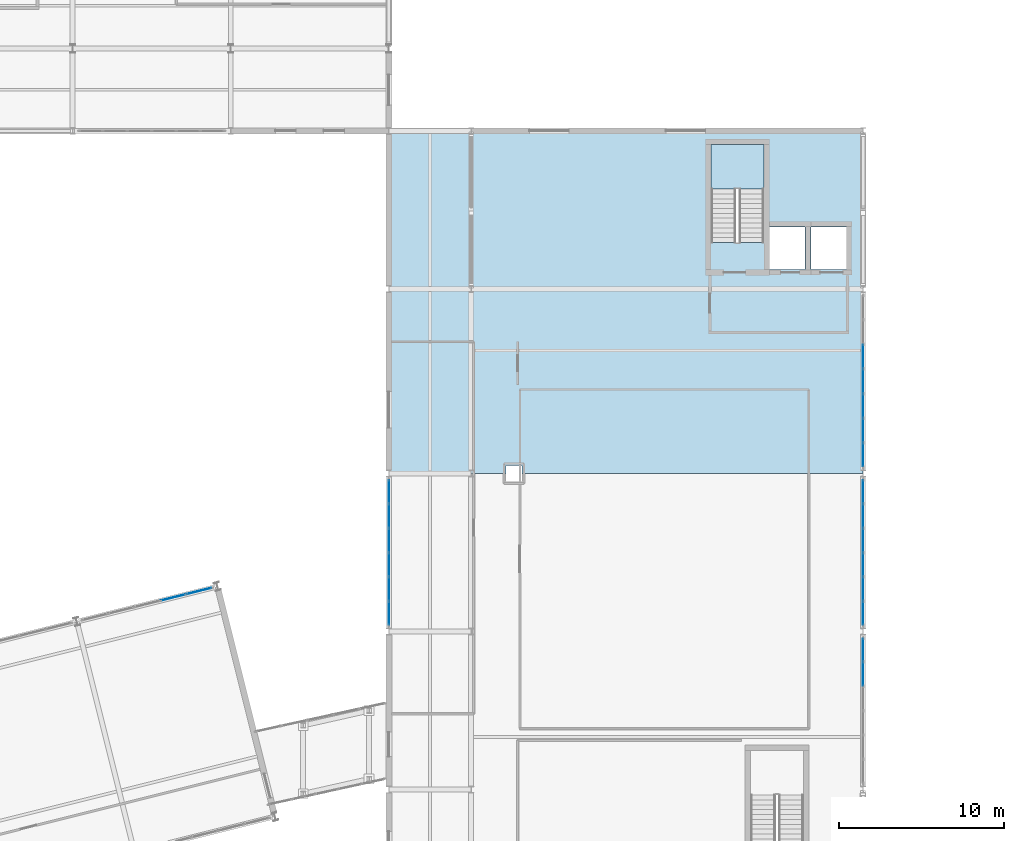
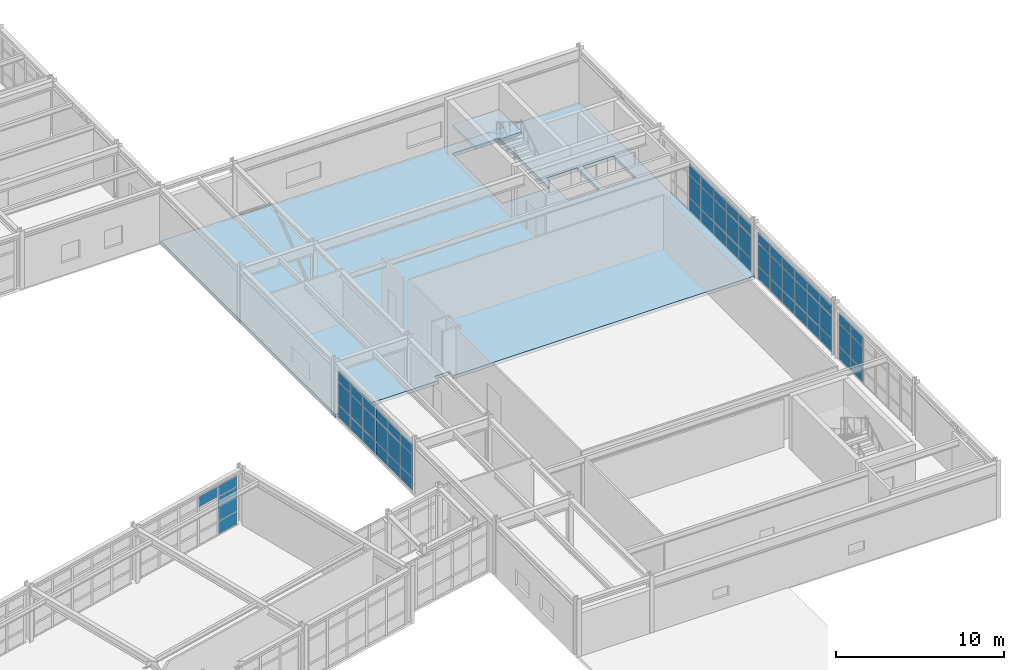
# One storey, part 60 of 88: 61 plates, 2 slabs, 6 elements without a shape of their own.
"""IFC4 building model written with IfcOpenShell, lengths in metres."""

from ifc_helpers import new_model, si_unit, direction, frame, origin, origin_2d, place, context, subcontext, project, spatial, polyline, rectangle, outline, extrude, material, layer, layer_set, type_object, element, aggregate, save


model = new_model("IFC4")

# Units and contexts
model_context = context("Model", 3, precision=1e-05, world=origin(), true_north=direction((0.0, 1.0)))
body_context = subcontext(model_context, "Body", "Model", "MODEL_VIEW")
ifc_project = project(units=[si_unit("LENGTHUNIT", "METRE"), si_unit("AREAUNIT", "SQUARE_METRE"), si_unit("VOLUMEUNIT", "CUBIC_METRE"), si_unit("PLANEANGLEUNIT", "RADIAN"), si_unit("MASSUNIT", "GRAM", prefix="KILO")], contexts=[model_context])

# Site, building, storey
site_placement = place(None, origin())
site = spatial("IfcSite", under=ifc_project, at=site_placement, CompositionType="ELEMENT")
building_placement = place(site_placement, origin())
building = spatial("IfcBuilding", under=site, at=building_placement, Name="Nordkorset Police Headquarters", CompositionType="ELEMENT")
storey_placement = place(building_placement, frame((0.0, 0.0, 9.449951171875)))
storey = spatial("IfcBuildingStorey", under=building, at=storey_placement, Name="L02", CompositionType="ELEMENT", Elevation=9.449951171875)

# Curtain wall, plates
ifc_material_1 = material(Name="Aluminium alloy AW-6060", Category="aluminium")
ifc_layer_1 = layer(ifc_material_1, 0.179931640625, Name="Aluminium alloy AW-6060")
ifc_layer_set_1 = layer_set([ifc_layer_1], Name="Aluminium alloy AW-6060")
curtain_wall_type_1 = type_object("IfcCurtainWallType", Name="CW_Unit_816x364", PredefinedType="USERDEFINED", material=ifc_layer_set_1)
curtain_wall_1_placement = place(storey_placement, origin())
curtain_wall_1 = element("IfcCurtainWall", 1, at=curtain_wall_1_placement, inside=storey, type_object=curtain_wall_type_1, Name="Unitised Curtain Wall L02 V4N-5", ObjectType="UNITISED CURTAIN WALL", PredefinedType="USERDEFINED")
ifc_material_2 = material(Name="Low-iron triple glazing", Category="glass")
ifc_layer_2 = layer(ifc_material_2, 0.035888671875, Name="Low-iron triple glazing")
ifc_layer_set_2 = layer_set([ifc_layer_2], Name="Low-iron triple glazing")
plate_type = type_object("IfcPlateType", Name="CW_Panel_TripleGlazing_36", PredefinedType="CURTAIN_PANEL", material=ifc_layer_set_2)
plate_1_placement = place(storey_placement, frame((73.30224609375, 69.268798828125, 2.822509765625), z_axis=(0.0, 0.0, 1.0), x_axis=(0.970142500145, 0.242535625038, 0.0)))
plate_1 = element("IfcPlate", 2, at=plate_1_placement, type_object=plate_type, Name="CW-64 panel 4.3", PredefinedType="CURTAIN_PANEL", context=body_context, shape_type="SweptSolid", body=[
    extrude(rectangle(XDim=1.56689453125, YDim=0.035888671875, at=origin_2d()), origin(), (0.0, 0.0, 1.0), 0.75244140625),
])
plate_2_placement = place(storey_placement, frame((74.869873046875, 69.66064453125, 0.06494140625), z_axis=(0.0, 0.0, 1.0), x_axis=(0.970142500145, 0.242535625038, 0.0)))
plate_2 = element("IfcPlate", 3, at=plate_2_placement, type_object=plate_type, Name="CW-64 panel 5.1", PredefinedType="CURTAIN_PANEL", context=body_context, shape_type="SweptSolid", body=[
    extrude(rectangle(XDim=1.534423828125, YDim=0.035888671875, at=origin_2d()), origin(), (0.0, 0.0, 1.0), 0.902587890625),
])
plate_3_placement = place(storey_placement, frame((74.869873046875, 69.66064453125, 1.032470703125), z_axis=(0.0, 0.0, 1.0), x_axis=(0.970142500145, 0.242535625038, 0.0)))
plate_3 = element("IfcPlate", 4, at=plate_3_placement, type_object=plate_type, Name="CW-64 panel 5.2", PredefinedType="CURTAIN_PANEL", context=body_context, shape_type="SweptSolid", body=[
    extrude(rectangle(XDim=1.534423828125, YDim=0.035888671875, at=origin_2d()), origin(), (0.0, 0.0, 1.0), 1.72509765625),
])
plate_4_placement = place(storey_placement, frame((74.869873046875, 69.66064453125, 2.822509765625), z_axis=(0.0, 0.0, 1.0), x_axis=(0.970142500145, 0.242535625038, 0.0)))
plate_4 = element("IfcPlate", 5, at=plate_4_placement, type_object=plate_type, Name="CW-64 panel 5.3", PredefinedType="CURTAIN_PANEL", context=body_context, shape_type="SweptSolid", body=[
    extrude(rectangle(XDim=1.534423828125, YDim=0.035888671875, at=origin_2d()), origin(), (0.0, 0.0, 1.0), 0.75244140625),
])
aggregate(curtain_wall_1, [plate_1, plate_2, plate_3, plate_4])

ifc_material_3 = material(Name="Aluminium alloy AW-6060", Category="aluminium")
ifc_layer_3 = layer(ifc_material_3, 0.179931640625, Name="Aluminium alloy AW-6060")
ifc_layer_set_3 = layer_set([ifc_layer_3], Name="Aluminium alloy AW-6060")
curtain_wall_type_2 = type_object("IfcCurtainWallType", Name="CW_Unit_888x351", PredefinedType="USERDEFINED", material=ifc_layer_set_3)
curtain_wall_2_placement = place(storey_placement, origin())
curtain_wall_2 = element("IfcCurtainWall", 6, at=curtain_wall_2_placement, inside=storey, type_object=curtain_wall_type_2, Name="Unitised Curtain Wall L02 V5E-1", ObjectType="UNITISED CURTAIN WALL", PredefinedType="USERDEFINED")
plate_5_placement = place(storey_placement, frame((115.199951171875, 64.6201171875, 0.06494140625), z_axis=(0.0, 0.0, 1.0), x_axis=(0.0, 1.0, 0.0)))
plate_5 = element("IfcPlate", 7, at=plate_5_placement, type_object=plate_type, Name="CW-58 panel 5.1", PredefinedType="CURTAIN_PANEL", context=body_context, shape_type="SweptSolid", body=[
    extrude(rectangle(XDim=1.4150390625, YDim=0.035888671875, at=origin_2d()), origin(), (0.0, 0.0, 1.0), 0.902587890625),
])
plate_6_placement = place(storey_placement, frame((115.199951171875, 64.6201171875, 1.03271484375), z_axis=(0.0, 0.0, 1.0), x_axis=(0.0, 1.0, 0.0)))
plate_6 = element("IfcPlate", 8, at=plate_6_placement, type_object=plate_type, Name="CW-58 panel 5.2", PredefinedType="CURTAIN_PANEL", context=body_context, shape_type="SweptSolid", body=[
    extrude(rectangle(XDim=1.4150390625, YDim=0.035888671875, at=origin_2d()), origin(), (0.0, 0.0, 1.0), 1.594970703125),
])
plate_7_placement = place(storey_placement, frame((115.199951171875, 64.6201171875, 2.692626953125), z_axis=(0.0, 0.0, 1.0), x_axis=(0.0, 1.0, 0.0)))
plate_7 = element("IfcPlate", 9, at=plate_7_placement, type_object=plate_type, Name="CW-58 panel 5.3", PredefinedType="CURTAIN_PANEL", context=body_context, shape_type="SweptSolid", body=[
    extrude(rectangle(XDim=1.4150390625, YDim=0.035888671875, at=origin_2d()), origin(), (0.0, 0.0, 1.0), 0.75244140625),
])
plate_8_placement = place(storey_placement, frame((115.199951171875, 66.083740234375, 0.06494140625), z_axis=(0.0, 0.0, 1.0), x_axis=(0.0, 1.0, 0.0)))
plate_8 = element("IfcPlate", 10, at=plate_8_placement, type_object=plate_type, Name="CW-58 panel 6.1", PredefinedType="CURTAIN_PANEL", context=body_context, shape_type="SweptSolid", body=[
    extrude(rectangle(XDim=1.382568359375, YDim=0.035888671875, at=origin_2d()), origin(), (0.0, 0.0, 1.0), 0.902587890625),
])
plate_9_placement = place(storey_placement, frame((115.199951171875, 66.083740234375, 1.03271484375), z_axis=(0.0, 0.0, 1.0), x_axis=(0.0, 1.0, 0.0)))
plate_9 = element("IfcPlate", 11, at=plate_9_placement, type_object=plate_type, Name="CW-58 panel 6.2", PredefinedType="CURTAIN_PANEL", context=body_context, shape_type="SweptSolid", body=[
    extrude(rectangle(XDim=1.382568359375, YDim=0.035888671875, at=origin_2d()), origin(), (0.0, 0.0, 1.0), 1.594970703125),
])
plate_10_placement = place(storey_placement, frame((115.199951171875, 66.083740234375, 2.692626953125), z_axis=(0.0, 0.0, 1.0), x_axis=(0.0, 1.0, 0.0)))
plate_10 = element("IfcPlate", 12, at=plate_10_placement, type_object=plate_type, Name="CW-58 panel 6.3", PredefinedType="CURTAIN_PANEL", context=body_context, shape_type="SweptSolid", body=[
    extrude(rectangle(XDim=1.382568359375, YDim=0.035888671875, at=origin_2d()), origin(), (0.0, 0.0, 1.0), 0.75244140625),
])
aggregate(curtain_wall_2, [plate_5, plate_6, plate_7, plate_8, plate_9, plate_10])

curtain_wall_3_placement = place(storey_placement, origin())
curtain_wall_3 = element("IfcCurtainWall", 13, at=curtain_wall_3_placement, inside=storey, type_object=curtain_wall_type_2, Name="Unitised Curtain Wall L02 V5E-2", ObjectType="UNITISED CURTAIN WALL", PredefinedType="USERDEFINED")
plate_11_placement = place(storey_placement, frame((115.199951171875, 68.316162109375, 0.06494140625), z_axis=(0.0, 0.0, 1.0), x_axis=(0.0, 1.0, 0.0)))
plate_11 = element("IfcPlate", 14, at=plate_11_placement, type_object=plate_type, Name="CW-58 panel 1.1", PredefinedType="CURTAIN_PANEL", context=body_context, shape_type="SweptSolid", body=[
    extrude(rectangle(XDim=1.382568359375, YDim=0.035888671875, at=origin_2d()), origin(), (0.0, 0.0, 1.0), 0.902587890625),
])
plate_12_placement = place(storey_placement, frame((115.199951171875, 68.316162109375, 1.03271484375), z_axis=(0.0, 0.0, 1.0), x_axis=(0.0, 1.0, 0.0)))
plate_12 = element("IfcPlate", 15, at=plate_12_placement, type_object=plate_type, Name="CW-58 panel 1.2", PredefinedType="CURTAIN_PANEL", context=body_context, shape_type="SweptSolid", body=[
    extrude(rectangle(XDim=1.382568359375, YDim=0.035888671875, at=origin_2d()), origin(), (0.0, 0.0, 1.0), 1.594970703125),
])
plate_13_placement = place(storey_placement, frame((115.199951171875, 68.316162109375, 2.692626953125), z_axis=(0.0, 0.0, 1.0), x_axis=(0.0, 1.0, 0.0)))
plate_13 = element("IfcPlate", 16, at=plate_13_placement, type_object=plate_type, Name="CW-58 panel 1.3", PredefinedType="CURTAIN_PANEL", context=body_context, shape_type="SweptSolid", body=[
    extrude(rectangle(XDim=1.382568359375, YDim=0.035888671875, at=origin_2d()), origin(), (0.0, 0.0, 1.0), 0.75244140625),
])
plate_14_placement = place(storey_placement, frame((115.199951171875, 69.780029296875, 0.06494140625), z_axis=(0.0, 0.0, 1.0), x_axis=(0.0, 1.0, 0.0)))
plate_14 = element("IfcPlate", 17, at=plate_14_placement, type_object=plate_type, Name="CW-58 panel 2.1", PredefinedType="CURTAIN_PANEL", context=body_context, shape_type="SweptSolid", body=[
    extrude(rectangle(XDim=1.4150390625, YDim=0.035888671875, at=origin_2d()), origin(), (0.0, 0.0, 1.0), 0.902587890625),
])
plate_15_placement = place(storey_placement, frame((115.199951171875, 69.780029296875, 1.03271484375), z_axis=(0.0, 0.0, 1.0), x_axis=(0.0, 1.0, 0.0)))
plate_15 = element("IfcPlate", 18, at=plate_15_placement, type_object=plate_type, Name="CW-58 panel 2.2", PredefinedType="CURTAIN_PANEL", context=body_context, shape_type="SweptSolid", body=[
    extrude(rectangle(XDim=1.4150390625, YDim=0.035888671875, at=origin_2d()), origin(), (0.0, 0.0, 1.0), 1.594970703125),
])
plate_16_placement = place(storey_placement, frame((115.199951171875, 69.780029296875, 2.692626953125), z_axis=(0.0, 0.0, 1.0), x_axis=(0.0, 1.0, 0.0)))
plate_16 = element("IfcPlate", 19, at=plate_16_placement, type_object=plate_type, Name="CW-58 panel 2.3", PredefinedType="CURTAIN_PANEL", context=body_context, shape_type="SweptSolid", body=[
    extrude(rectangle(XDim=1.4150390625, YDim=0.035888671875, at=origin_2d()), origin(), (0.0, 0.0, 1.0), 0.75244140625),
])
plate_17_placement = place(storey_placement, frame((115.199951171875, 71.260009765625, 0.06494140625), z_axis=(0.0, 0.0, 1.0), x_axis=(0.0, 1.0, 0.0)))
plate_17 = element("IfcPlate", 20, at=plate_17_placement, type_object=plate_type, Name="CW-58 panel 3.1", PredefinedType="CURTAIN_PANEL", context=body_context, shape_type="SweptSolid", body=[
    extrude(rectangle(XDim=1.4150390625, YDim=0.035888671875, at=origin_2d()), origin(), (0.0, 0.0, 1.0), 0.902587890625),
])
plate_18_placement = place(storey_placement, frame((115.199951171875, 71.260009765625, 1.03271484375), z_axis=(0.0, 0.0, 1.0), x_axis=(0.0, 1.0, 0.0)))
plate_18 = element("IfcPlate", 21, at=plate_18_placement, type_object=plate_type, Name="CW-58 panel 3.2", PredefinedType="CURTAIN_PANEL", context=body_context, shape_type="SweptSolid", body=[
    extrude(rectangle(XDim=1.4150390625, YDim=0.035888671875, at=origin_2d()), origin(), (0.0, 0.0, 1.0), 1.594970703125),
])
plate_19_placement = place(storey_placement, frame((115.199951171875, 71.260009765625, 2.692626953125), z_axis=(0.0, 0.0, 1.0), x_axis=(0.0, 1.0, 0.0)))
plate_19 = element("IfcPlate", 22, at=plate_19_placement, type_object=plate_type, Name="CW-58 panel 3.3", PredefinedType="CURTAIN_PANEL", context=body_context, shape_type="SweptSolid", body=[
    extrude(rectangle(XDim=1.4150390625, YDim=0.035888671875, at=origin_2d()), origin(), (0.0, 0.0, 1.0), 0.75244140625),
])
plate_20_placement = place(storey_placement, frame((115.199951171875, 72.739990234375, 0.06494140625), z_axis=(0.0, 0.0, 1.0), x_axis=(0.0, 1.0, 0.0)))
plate_20 = element("IfcPlate", 23, at=plate_20_placement, type_object=plate_type, Name="CW-58 panel 4.1", PredefinedType="CURTAIN_PANEL", context=body_context, shape_type="SweptSolid", body=[
    extrude(rectangle(XDim=1.4150390625, YDim=0.035888671875, at=origin_2d()), origin(), (0.0, 0.0, 1.0), 0.902587890625),
])
plate_21_placement = place(storey_placement, frame((115.199951171875, 72.739990234375, 1.03271484375), z_axis=(0.0, 0.0, 1.0), x_axis=(0.0, 1.0, 0.0)))
plate_21 = element("IfcPlate", 24, at=plate_21_placement, type_object=plate_type, Name="CW-58 panel 4.2", PredefinedType="CURTAIN_PANEL", context=body_context, shape_type="SweptSolid", body=[
    extrude(rectangle(XDim=1.4150390625, YDim=0.035888671875, at=origin_2d()), origin(), (0.0, 0.0, 1.0), 1.594970703125),
])
plate_22_placement = place(storey_placement, frame((115.199951171875, 72.739990234375, 2.692626953125), z_axis=(0.0, 0.0, 1.0), x_axis=(0.0, 1.0, 0.0)))
plate_22 = element("IfcPlate", 25, at=plate_22_placement, type_object=plate_type, Name="CW-58 panel 4.3", PredefinedType="CURTAIN_PANEL", context=body_context, shape_type="SweptSolid", body=[
    extrude(rectangle(XDim=1.4150390625, YDim=0.035888671875, at=origin_2d()), origin(), (0.0, 0.0, 1.0), 0.75244140625),
])
plate_23_placement = place(storey_placement, frame((115.199951171875, 74.219970703125, 0.06494140625), z_axis=(0.0, 0.0, 1.0), x_axis=(0.0, 1.0, 0.0)))
plate_23 = element("IfcPlate", 26, at=plate_23_placement, type_object=plate_type, Name="CW-58 panel 5.1", PredefinedType="CURTAIN_PANEL", context=body_context, shape_type="SweptSolid", body=[
    extrude(rectangle(XDim=1.4150390625, YDim=0.035888671875, at=origin_2d()), origin(), (0.0, 0.0, 1.0), 0.902587890625),
])
plate_24_placement = place(storey_placement, frame((115.199951171875, 74.219970703125, 1.03271484375), z_axis=(0.0, 0.0, 1.0), x_axis=(0.0, 1.0, 0.0)))
plate_24 = element("IfcPlate", 27, at=plate_24_placement, type_object=plate_type, Name="CW-58 panel 5.2", PredefinedType="CURTAIN_PANEL", context=body_context, shape_type="SweptSolid", body=[
    extrude(rectangle(XDim=1.4150390625, YDim=0.035888671875, at=origin_2d()), origin(), (0.0, 0.0, 1.0), 1.594970703125),
])
plate_25_placement = place(storey_placement, frame((115.199951171875, 74.219970703125, 2.692626953125), z_axis=(0.0, 0.0, 1.0), x_axis=(0.0, 1.0, 0.0)))
plate_25 = element("IfcPlate", 28, at=plate_25_placement, type_object=plate_type, Name="CW-58 panel 5.3", PredefinedType="CURTAIN_PANEL", context=body_context, shape_type="SweptSolid", body=[
    extrude(rectangle(XDim=1.4150390625, YDim=0.035888671875, at=origin_2d()), origin(), (0.0, 0.0, 1.0), 0.75244140625),
])
plate_26_placement = place(storey_placement, frame((115.199951171875, 75.683837890625, 0.06494140625), z_axis=(0.0, 0.0, 1.0), x_axis=(0.0, 1.0, 0.0)))
plate_26 = element("IfcPlate", 29, at=plate_26_placement, type_object=plate_type, Name="CW-58 panel 6.1", PredefinedType="CURTAIN_PANEL", context=body_context, shape_type="SweptSolid", body=[
    extrude(rectangle(XDim=1.382568359375, YDim=0.035888671875, at=origin_2d()), origin(), (0.0, 0.0, 1.0), 0.902587890625),
])
plate_27_placement = place(storey_placement, frame((115.199951171875, 75.683837890625, 1.03271484375), z_axis=(0.0, 0.0, 1.0), x_axis=(0.0, 1.0, 0.0)))
plate_27 = element("IfcPlate", 30, at=plate_27_placement, type_object=plate_type, Name="CW-58 panel 6.2", PredefinedType="CURTAIN_PANEL", context=body_context, shape_type="SweptSolid", body=[
    extrude(rectangle(XDim=1.382568359375, YDim=0.035888671875, at=origin_2d()), origin(), (0.0, 0.0, 1.0), 1.594970703125),
])
plate_28_placement = place(storey_placement, frame((115.199951171875, 75.683837890625, 2.692626953125), z_axis=(0.0, 0.0, 1.0), x_axis=(0.0, 1.0, 0.0)))
plate_28 = element("IfcPlate", 31, at=plate_28_placement, type_object=plate_type, Name="CW-58 panel 6.3", PredefinedType="CURTAIN_PANEL", context=body_context, shape_type="SweptSolid", body=[
    extrude(rectangle(XDim=1.382568359375, YDim=0.035888671875, at=origin_2d()), origin(), (0.0, 0.0, 1.0), 0.75244140625),
])
aggregate(curtain_wall_3, [plate_11, plate_12, plate_13, plate_14, plate_15, plate_16, plate_17, plate_18, plate_19, plate_20, plate_21, plate_22, plate_23, plate_24, plate_25, plate_26, plate_27, plate_28])

ifc_material_4 = material(Name="Aluminium alloy AW-6060", Category="aluminium")
ifc_layer_4 = layer(ifc_material_4, 0.179931640625, Name="Aluminium alloy AW-6060")
ifc_layer_set_4 = layer_set([ifc_layer_4], Name="Aluminium alloy AW-6060")
curtain_wall_type_3 = type_object("IfcCurtainWallType", Name="CW_Unit_888x350", PredefinedType="USERDEFINED", material=ifc_layer_set_4)
curtain_wall_4_placement = place(storey_placement, origin())
curtain_wall_4 = element("IfcCurtainWall", 32, at=curtain_wall_4_placement, inside=storey, type_object=curtain_wall_type_3, Name="Unitised Curtain Wall L02 V5W-2", ObjectType="UNITISED CURTAIN WALL", PredefinedType="USERDEFINED")
plate_29_placement = place(storey_placement, frame((86.39990234375, 68.316162109375, 0.06494140625), z_axis=(0.0, 0.0, 1.0), x_axis=(0.0, 1.0, 0.0)))
plate_29 = element("IfcPlate", 33, at=plate_29_placement, type_object=plate_type, Name="CW-95 panel 1.1", PredefinedType="CURTAIN_PANEL", context=body_context, shape_type="SweptSolid", body=[
    extrude(rectangle(XDim=1.382568359375, YDim=0.035888671875, at=origin_2d()), origin(), (0.0, 0.0, 1.0), 0.902587890625),
])
plate_30_placement = place(storey_placement, frame((86.39990234375, 68.316162109375, 1.03271484375), z_axis=(0.0, 0.0, 1.0), x_axis=(0.0, 1.0, 0.0)))
plate_30 = element("IfcPlate", 34, at=plate_30_placement, type_object=plate_type, Name="CW-95 panel 1.2", PredefinedType="CURTAIN_PANEL", context=body_context, shape_type="SweptSolid", body=[
    extrude(rectangle(XDim=1.382568359375, YDim=0.035888671875, at=origin_2d()), origin(), (0.0, 0.0, 1.0), 1.590087890625),
])
plate_31_placement = place(storey_placement, frame((86.39990234375, 68.316162109375, 2.6875), z_axis=(0.0, 0.0, 1.0), x_axis=(0.0, 1.0, 0.0)))
plate_31 = element("IfcPlate", 35, at=plate_31_placement, type_object=plate_type, Name="CW-95 panel 1.3", PredefinedType="CURTAIN_PANEL", context=body_context, shape_type="SweptSolid", body=[
    extrude(rectangle(XDim=1.382568359375, YDim=0.035888671875, at=origin_2d()), origin(), (0.0, 0.0, 1.0), 0.75244140625),
])
plate_32_placement = place(storey_placement, frame((86.39990234375, 69.780029296875, 0.06494140625), z_axis=(0.0, 0.0, 1.0), x_axis=(0.0, 1.0, 0.0)))
plate_32 = element("IfcPlate", 36, at=plate_32_placement, type_object=plate_type, Name="CW-95 panel 2.1", PredefinedType="CURTAIN_PANEL", context=body_context, shape_type="SweptSolid", body=[
    extrude(rectangle(XDim=1.4150390625, YDim=0.035888671875, at=origin_2d()), origin(), (0.0, 0.0, 1.0), 0.902587890625),
])
plate_33_placement = place(storey_placement, frame((86.39990234375, 69.780029296875, 1.03271484375), z_axis=(0.0, 0.0, 1.0), x_axis=(0.0, 1.0, 0.0)))
plate_33 = element("IfcPlate", 37, at=plate_33_placement, type_object=plate_type, Name="CW-95 panel 2.2", PredefinedType="CURTAIN_PANEL", context=body_context, shape_type="SweptSolid", body=[
    extrude(rectangle(XDim=1.4150390625, YDim=0.035888671875, at=origin_2d()), origin(), (0.0, 0.0, 1.0), 1.590087890625),
])
plate_34_placement = place(storey_placement, frame((86.39990234375, 69.780029296875, 2.6875), z_axis=(0.0, 0.0, 1.0), x_axis=(0.0, 1.0, 0.0)))
plate_34 = element("IfcPlate", 38, at=plate_34_placement, type_object=plate_type, Name="CW-95 panel 2.3", PredefinedType="CURTAIN_PANEL", context=body_context, shape_type="SweptSolid", body=[
    extrude(rectangle(XDim=1.4150390625, YDim=0.035888671875, at=origin_2d()), origin(), (0.0, 0.0, 1.0), 0.75244140625),
])
plate_35_placement = place(storey_placement, frame((86.39990234375, 71.260009765625, 0.06494140625), z_axis=(0.0, 0.0, 1.0), x_axis=(0.0, 1.0, 0.0)))
plate_35 = element("IfcPlate", 39, at=plate_35_placement, type_object=plate_type, Name="CW-95 panel 3.1", PredefinedType="CURTAIN_PANEL", context=body_context, shape_type="SweptSolid", body=[
    extrude(rectangle(XDim=1.4150390625, YDim=0.035888671875, at=origin_2d()), origin(), (0.0, 0.0, 1.0), 0.902587890625),
])
plate_36_placement = place(storey_placement, frame((86.39990234375, 71.260009765625, 1.03271484375), z_axis=(0.0, 0.0, 1.0), x_axis=(0.0, 1.0, 0.0)))
plate_36 = element("IfcPlate", 40, at=plate_36_placement, type_object=plate_type, Name="CW-95 panel 3.2", PredefinedType="CURTAIN_PANEL", context=body_context, shape_type="SweptSolid", body=[
    extrude(rectangle(XDim=1.4150390625, YDim=0.035888671875, at=origin_2d()), origin(), (0.0, 0.0, 1.0), 1.590087890625),
])
plate_37_placement = place(storey_placement, frame((86.39990234375, 71.260009765625, 2.6875), z_axis=(0.0, 0.0, 1.0), x_axis=(0.0, 1.0, 0.0)))
plate_37 = element("IfcPlate", 41, at=plate_37_placement, type_object=plate_type, Name="CW-95 panel 3.3", PredefinedType="CURTAIN_PANEL", context=body_context, shape_type="SweptSolid", body=[
    extrude(rectangle(XDim=1.4150390625, YDim=0.035888671875, at=origin_2d()), origin(), (0.0, 0.0, 1.0), 0.75244140625),
])
plate_38_placement = place(storey_placement, frame((86.39990234375, 72.739990234375, 0.06494140625), z_axis=(0.0, 0.0, 1.0), x_axis=(0.0, 1.0, 0.0)))
plate_38 = element("IfcPlate", 42, at=plate_38_placement, type_object=plate_type, Name="CW-95 panel 4.1", PredefinedType="CURTAIN_PANEL", context=body_context, shape_type="SweptSolid", body=[
    extrude(rectangle(XDim=1.4150390625, YDim=0.035888671875, at=origin_2d()), origin(), (0.0, 0.0, 1.0), 0.902587890625),
])
plate_39_placement = place(storey_placement, frame((86.39990234375, 72.739990234375, 1.03271484375), z_axis=(0.0, 0.0, 1.0), x_axis=(0.0, 1.0, 0.0)))
plate_39 = element("IfcPlate", 43, at=plate_39_placement, type_object=plate_type, Name="CW-95 panel 4.2", PredefinedType="CURTAIN_PANEL", context=body_context, shape_type="SweptSolid", body=[
    extrude(rectangle(XDim=1.4150390625, YDim=0.035888671875, at=origin_2d()), origin(), (0.0, 0.0, 1.0), 1.590087890625),
])
plate_40_placement = place(storey_placement, frame((86.39990234375, 72.739990234375, 2.6875), z_axis=(0.0, 0.0, 1.0), x_axis=(0.0, 1.0, 0.0)))
plate_40 = element("IfcPlate", 44, at=plate_40_placement, type_object=plate_type, Name="CW-95 panel 4.3", PredefinedType="CURTAIN_PANEL", context=body_context, shape_type="SweptSolid", body=[
    extrude(rectangle(XDim=1.4150390625, YDim=0.035888671875, at=origin_2d()), origin(), (0.0, 0.0, 1.0), 0.75244140625),
])
plate_41_placement = place(storey_placement, frame((86.39990234375, 74.219970703125, 0.06494140625), z_axis=(0.0, 0.0, 1.0), x_axis=(0.0, 1.0, 0.0)))
plate_41 = element("IfcPlate", 45, at=plate_41_placement, type_object=plate_type, Name="CW-95 panel 5.1", PredefinedType="CURTAIN_PANEL", context=body_context, shape_type="SweptSolid", body=[
    extrude(rectangle(XDim=1.4150390625, YDim=0.035888671875, at=origin_2d()), origin(), (0.0, 0.0, 1.0), 0.902587890625),
])
plate_42_placement = place(storey_placement, frame((86.39990234375, 74.219970703125, 1.03271484375), z_axis=(0.0, 0.0, 1.0), x_axis=(0.0, 1.0, 0.0)))
plate_42 = element("IfcPlate", 46, at=plate_42_placement, type_object=plate_type, Name="CW-95 panel 5.2", PredefinedType="CURTAIN_PANEL", context=body_context, shape_type="SweptSolid", body=[
    extrude(rectangle(XDim=1.4150390625, YDim=0.035888671875, at=origin_2d()), origin(), (0.0, 0.0, 1.0), 1.590087890625),
])
plate_43_placement = place(storey_placement, frame((86.39990234375, 74.219970703125, 2.6875), z_axis=(0.0, 0.0, 1.0), x_axis=(0.0, 1.0, 0.0)))
plate_43 = element("IfcPlate", 47, at=plate_43_placement, type_object=plate_type, Name="CW-95 panel 5.3", PredefinedType="CURTAIN_PANEL", context=body_context, shape_type="SweptSolid", body=[
    extrude(rectangle(XDim=1.4150390625, YDim=0.035888671875, at=origin_2d()), origin(), (0.0, 0.0, 1.0), 0.75244140625),
])
plate_44_placement = place(storey_placement, frame((86.39990234375, 75.683837890625, 0.06494140625), z_axis=(0.0, 0.0, 1.0), x_axis=(0.0, 1.0, 0.0)))
plate_44 = element("IfcPlate", 48, at=plate_44_placement, type_object=plate_type, Name="CW-95 panel 6.1", PredefinedType="CURTAIN_PANEL", context=body_context, shape_type="SweptSolid", body=[
    extrude(rectangle(XDim=1.382568359375, YDim=0.035888671875, at=origin_2d()), origin(), (0.0, 0.0, 1.0), 0.902587890625),
])
plate_45_placement = place(storey_placement, frame((86.39990234375, 75.683837890625, 1.03271484375), z_axis=(0.0, 0.0, 1.0), x_axis=(0.0, 1.0, 0.0)))
plate_45 = element("IfcPlate", 49, at=plate_45_placement, type_object=plate_type, Name="CW-95 panel 6.2", PredefinedType="CURTAIN_PANEL", context=body_context, shape_type="SweptSolid", body=[
    extrude(rectangle(XDim=1.382568359375, YDim=0.035888671875, at=origin_2d()), origin(), (0.0, 0.0, 1.0), 1.590087890625),
])
plate_46_placement = place(storey_placement, frame((86.39990234375, 75.683837890625, 2.6875), z_axis=(0.0, 0.0, 1.0), x_axis=(0.0, 1.0, 0.0)))
plate_46 = element("IfcPlate", 50, at=plate_46_placement, type_object=plate_type, Name="CW-95 panel 6.3", PredefinedType="CURTAIN_PANEL", context=body_context, shape_type="SweptSolid", body=[
    extrude(rectangle(XDim=1.382568359375, YDim=0.035888671875, at=origin_2d()), origin(), (0.0, 0.0, 1.0), 0.75244140625),
])
aggregate(curtain_wall_4, [plate_29, plate_30, plate_31, plate_32, plate_33, plate_34, plate_35, plate_36, plate_37, plate_38, plate_39, plate_40, plate_41, plate_42, plate_43, plate_44, plate_45, plate_46])

ifc_material_5 = material(Name="Aluminium alloy AW-6060", Category="aluminium")
ifc_layer_5 = layer(ifc_material_5, 0.179931640625, Name="Aluminium alloy AW-6060")
ifc_layer_set_5 = layer_set([ifc_layer_5], Name="Aluminium alloy AW-6060")
curtain_wall_type_4 = type_object("IfcCurtainWallType", Name="CW_Unit_1048x351", PredefinedType="USERDEFINED", material=ifc_layer_set_5)
curtain_wall_5_placement = place(storey_placement, origin())
curtain_wall_5 = element("IfcCurtainWall", 51, at=curtain_wall_5_placement, inside=storey, type_object=curtain_wall_type_4, Name="Unitised Curtain Wall L02 V5E-3", ObjectType="UNITISED CURTAIN WALL", PredefinedType="USERDEFINED")
plate_47_placement = place(storey_placement, frame((115.199951171875, 77.9248046875, 0.06494140625), z_axis=(0.0, 0.0, 1.0), x_axis=(0.0, 1.0, 0.0)))
plate_47 = element("IfcPlate", 52, at=plate_47_placement, type_object=plate_type, Name="CW-72 panel 1.1", PredefinedType="CURTAIN_PANEL", context=body_context, shape_type="SweptSolid", body=[
    extrude(rectangle(XDim=1.399658203125, YDim=0.035888671875, at=origin_2d()), origin(), (0.0, 0.0, 1.0), 0.902587890625),
])
plate_48_placement = place(storey_placement, frame((115.199951171875, 77.9248046875, 1.03271484375), z_axis=(0.0, 0.0, 1.0), x_axis=(0.0, 1.0, 0.0)))
plate_48 = element("IfcPlate", 53, at=plate_48_placement, type_object=plate_type, Name="CW-72 panel 1.2", PredefinedType="CURTAIN_PANEL", context=body_context, shape_type="SweptSolid", body=[
    extrude(rectangle(XDim=1.399658203125, YDim=0.035888671875, at=origin_2d()), origin(), (0.0, 0.0, 1.0), 1.594970703125),
])
plate_49_placement = place(storey_placement, frame((115.199951171875, 77.9248046875, 2.692626953125), z_axis=(0.0, 0.0, 1.0), x_axis=(0.0, 1.0, 0.0)))
plate_49 = element("IfcPlate", 54, at=plate_49_placement, type_object=plate_type, Name="CW-72 panel 1.3", PredefinedType="CURTAIN_PANEL", context=body_context, shape_type="SweptSolid", body=[
    extrude(rectangle(XDim=1.399658203125, YDim=0.035888671875, at=origin_2d()), origin(), (0.0, 0.0, 1.0), 0.75244140625),
])
plate_50_placement = place(storey_placement, frame((115.199951171875, 79.40576171875, 0.06494140625), z_axis=(0.0, 0.0, 1.0), x_axis=(0.0, 1.0, 0.0)))
plate_50 = element("IfcPlate", 55, at=plate_50_placement, type_object=plate_type, Name="CW-72 panel 2.1", PredefinedType="CURTAIN_PANEL", context=body_context, shape_type="SweptSolid", body=[
    extrude(rectangle(XDim=1.43212890625, YDim=0.035888671875, at=origin_2d()), origin(), (0.0, 0.0, 1.0), 0.902587890625),
])
plate_51_placement = place(storey_placement, frame((115.199951171875, 79.40576171875, 1.03271484375), z_axis=(0.0, 0.0, 1.0), x_axis=(0.0, 1.0, 0.0)))
plate_51 = element("IfcPlate", 56, at=plate_51_placement, type_object=plate_type, Name="CW-72 panel 2.2", PredefinedType="CURTAIN_PANEL", context=body_context, shape_type="SweptSolid", body=[
    extrude(rectangle(XDim=1.43212890625, YDim=0.035888671875, at=origin_2d()), origin(), (0.0, 0.0, 1.0), 1.594970703125),
])
plate_52_placement = place(storey_placement, frame((115.199951171875, 79.40576171875, 2.692626953125), z_axis=(0.0, 0.0, 1.0), x_axis=(0.0, 1.0, 0.0)))
plate_52 = element("IfcPlate", 57, at=plate_52_placement, type_object=plate_type, Name="CW-72 panel 2.3", PredefinedType="CURTAIN_PANEL", context=body_context, shape_type="SweptSolid", body=[
    extrude(rectangle(XDim=1.43212890625, YDim=0.035888671875, at=origin_2d()), origin(), (0.0, 0.0, 1.0), 0.75244140625),
])
plate_53_placement = place(storey_placement, frame((115.199951171875, 80.90283203125, 0.06494140625), z_axis=(0.0, 0.0, 1.0), x_axis=(0.0, 1.0, 0.0)))
plate_53 = element("IfcPlate", 58, at=plate_53_placement, type_object=plate_type, Name="CW-72 panel 3.1", PredefinedType="CURTAIN_PANEL", context=body_context, shape_type="SweptSolid", body=[
    extrude(rectangle(XDim=1.43212890625, YDim=0.035888671875, at=origin_2d()), origin(), (0.0, 0.0, 1.0), 0.902587890625),
])
plate_54_placement = place(storey_placement, frame((115.199951171875, 80.90283203125, 1.03271484375), z_axis=(0.0, 0.0, 1.0), x_axis=(0.0, 1.0, 0.0)))
plate_54 = element("IfcPlate", 59, at=plate_54_placement, type_object=plate_type, Name="CW-72 panel 3.2", PredefinedType="CURTAIN_PANEL", context=body_context, shape_type="SweptSolid", body=[
    extrude(rectangle(XDim=1.43212890625, YDim=0.035888671875, at=origin_2d()), origin(), (0.0, 0.0, 1.0), 1.594970703125),
])
plate_55_placement = place(storey_placement, frame((115.199951171875, 80.90283203125, 2.692626953125), z_axis=(0.0, 0.0, 1.0), x_axis=(0.0, 1.0, 0.0)))
plate_55 = element("IfcPlate", 60, at=plate_55_placement, type_object=plate_type, Name="CW-72 panel 3.3", PredefinedType="CURTAIN_PANEL", context=body_context, shape_type="SweptSolid", body=[
    extrude(rectangle(XDim=1.43212890625, YDim=0.035888671875, at=origin_2d()), origin(), (0.0, 0.0, 1.0), 0.75244140625),
])
plate_56_placement = place(storey_placement, frame((115.199951171875, 82.39990234375, 0.06494140625), z_axis=(0.0, 0.0, 1.0), x_axis=(0.0, 1.0, 0.0)))
plate_56 = element("IfcPlate", 61, at=plate_56_placement, type_object=plate_type, Name="CW-72 panel 4.1", PredefinedType="CURTAIN_PANEL", context=body_context, shape_type="SweptSolid", body=[
    extrude(rectangle(XDim=1.43212890625, YDim=0.035888671875, at=origin_2d()), origin(), (0.0, 0.0, 1.0), 0.902587890625),
])
plate_57_placement = place(storey_placement, frame((115.199951171875, 82.39990234375, 1.03271484375), z_axis=(0.0, 0.0, 1.0), x_axis=(0.0, 1.0, 0.0)))
plate_57 = element("IfcPlate", 62, at=plate_57_placement, type_object=plate_type, Name="CW-72 panel 4.2", PredefinedType="CURTAIN_PANEL", context=body_context, shape_type="SweptSolid", body=[
    extrude(rectangle(XDim=1.43212890625, YDim=0.035888671875, at=origin_2d()), origin(), (0.0, 0.0, 1.0), 1.594970703125),
])
plate_58_placement = place(storey_placement, frame((115.199951171875, 82.39990234375, 2.692626953125), z_axis=(0.0, 0.0, 1.0), x_axis=(0.0, 1.0, 0.0)))
plate_58 = element("IfcPlate", 63, at=plate_58_placement, type_object=plate_type, Name="CW-72 panel 4.3", PredefinedType="CURTAIN_PANEL", context=body_context, shape_type="SweptSolid", body=[
    extrude(rectangle(XDim=1.43212890625, YDim=0.035888671875, at=origin_2d()), origin(), (0.0, 0.0, 1.0), 0.75244140625),
])
plate_59_placement = place(storey_placement, frame((115.199951171875, 83.897216796875, 0.06494140625), z_axis=(0.0, 0.0, 1.0), x_axis=(0.0, 1.0, 0.0)))
plate_59 = element("IfcPlate", 64, at=plate_59_placement, type_object=plate_type, Name="CW-72 panel 5.1", PredefinedType="CURTAIN_PANEL", context=body_context, shape_type="SweptSolid", body=[
    extrude(rectangle(XDim=1.43212890625, YDim=0.035888671875, at=origin_2d()), origin(), (0.0, 0.0, 1.0), 0.902587890625),
])
plate_60_placement = place(storey_placement, frame((115.199951171875, 83.897216796875, 1.03271484375), z_axis=(0.0, 0.0, 1.0), x_axis=(0.0, 1.0, 0.0)))
plate_60 = element("IfcPlate", 65, at=plate_60_placement, type_object=plate_type, Name="CW-72 panel 5.2", PredefinedType="CURTAIN_PANEL", context=body_context, shape_type="SweptSolid", body=[
    extrude(rectangle(XDim=1.43212890625, YDim=0.035888671875, at=origin_2d()), origin(), (0.0, 0.0, 1.0), 1.594970703125),
])
plate_61_placement = place(storey_placement, frame((115.199951171875, 83.897216796875, 2.692626953125), z_axis=(0.0, 0.0, 1.0), x_axis=(0.0, 1.0, 0.0)))
plate_61 = element("IfcPlate", 66, at=plate_61_placement, type_object=plate_type, Name="CW-72 panel 5.3", PredefinedType="CURTAIN_PANEL", context=body_context, shape_type="SweptSolid", body=[
    extrude(rectangle(XDim=1.43212890625, YDim=0.035888671875, at=origin_2d()), origin(), (0.0, 0.0, 1.0), 0.75244140625),
])
aggregate(curtain_wall_5, [plate_47, plate_48, plate_49, plate_50, plate_51, plate_52, plate_53, plate_54, plate_55, plate_56, plate_57, plate_58, plate_59, plate_60, plate_61])

# Slab
ifc_material_6 = material(Name="Concrete C35/45", Category="concrete")
ifc_layer_6 = layer(ifc_material_6, 0.239990234375, Name="Concrete C35/45")
ifc_layer_set_6 = layer_set([ifc_layer_6], Name="Concrete C35/45")
slab_type_1 = type_object("IfcSlabType", Name="Slab_Lab_240", PredefinedType="FLOOR", material=ifc_layer_set_6)
slab_1_placement = place(storey_placement, frame((0.0, 0.0, -0.239990234375)))
element("IfcSlab", 67, at=slab_1_placement, inside=storey, type_object=slab_type_1, Name="Composite Floor Slab V5 North L02", PredefinedType="FLOOR", context=body_context, shape_type="SweptSolid", body=[
    extrude(outline(polyline([(115.199951171875, 76.802001953125), (94.5, 76.802001953125), (94.5, 77.300048828125), (93.5, 77.300048828125), (93.5, 76.802001953125), (86.405029296875, 76.802001953125), (86.405029296875, 97.60009765625), (115.199951171875, 97.60009765625), (115.199951171875, 76.802001953125)]), holes=[polyline([(105.97509765625, 90.827880859375), (109.175048828125, 90.827880859375), (109.175048828125, 96.77490234375), (105.97509765625, 96.77490234375), (105.97509765625, 90.827880859375)]), polyline([(109.52490234375, 91.77490234375), (109.52490234375, 89.175048828125), (111.675048828125, 89.175048828125), (111.675048828125, 91.77490234375), (109.52490234375, 91.77490234375)]), polyline([(114.175048828125, 91.77490234375), (112.02490234375, 91.77490234375), (112.02490234375, 89.175048828125), (114.175048828125, 89.175048828125), (114.175048828125, 91.77490234375)])]), origin(), (0.0, 0.0, 1.0), 0.239990234375),
])

# Stair, slab
ifc_material_7 = material(Name="Concrete C35/45", Category="concrete")
stair_type = type_object("IfcStairType", Name="ST-42", PredefinedType="HALF_TURN_STAIR", material=ifc_material_7)
stair_placement = place(storey_placement, origin())
stair = element("IfcStair", 68, at=stair_placement, inside=storey, type_object=stair_type, Name="L02 Protected Escape Stair ST-05", PredefinedType="HALF_TURN_STAIR")
ifc_material_8 = material(Name="Concrete C35/45", Category="concrete")
ifc_layer_7 = layer(ifc_material_8, 0.199951171875, Name="Concrete C35/45")
ifc_layer_set_7 = layer_set([ifc_layer_7], Name="Concrete C35/45")
slab_type_2 = type_object("IfcSlabType", Name="Slab_StairLanding_200", PredefinedType="LANDING", material=ifc_layer_set_7)
slab_2_placement = place(storey_placement, frame((0.0, 0.0, 1.900146484375)))
slab_2 = element("IfcSlab", 69, at=slab_2_placement, type_object=slab_type_2, Name="ST-05 landing 1", PredefinedType="LANDING", context=body_context, shape_type="SweptSolid", body=[
    extrude(outline(polyline([(109.175048828125, 94.070068359375), (109.175048828125, 96.77490234375), (105.97509765625, 96.77490234375), (105.97509765625, 94.070068359375), (109.175048828125, 94.070068359375)])), origin(), (0.0, 0.0, 1.0), 0.199951171875),
])
aggregate(stair, [slab_2])

save(model, "model.ifc")
